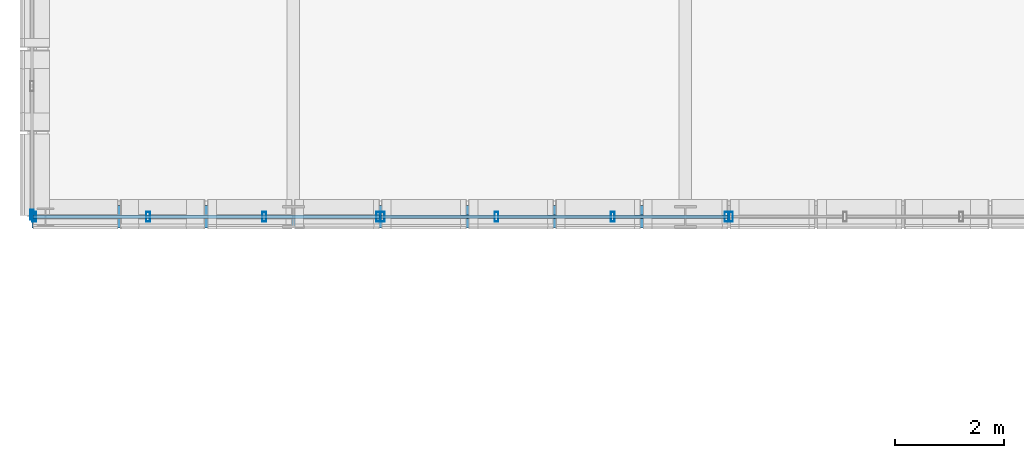
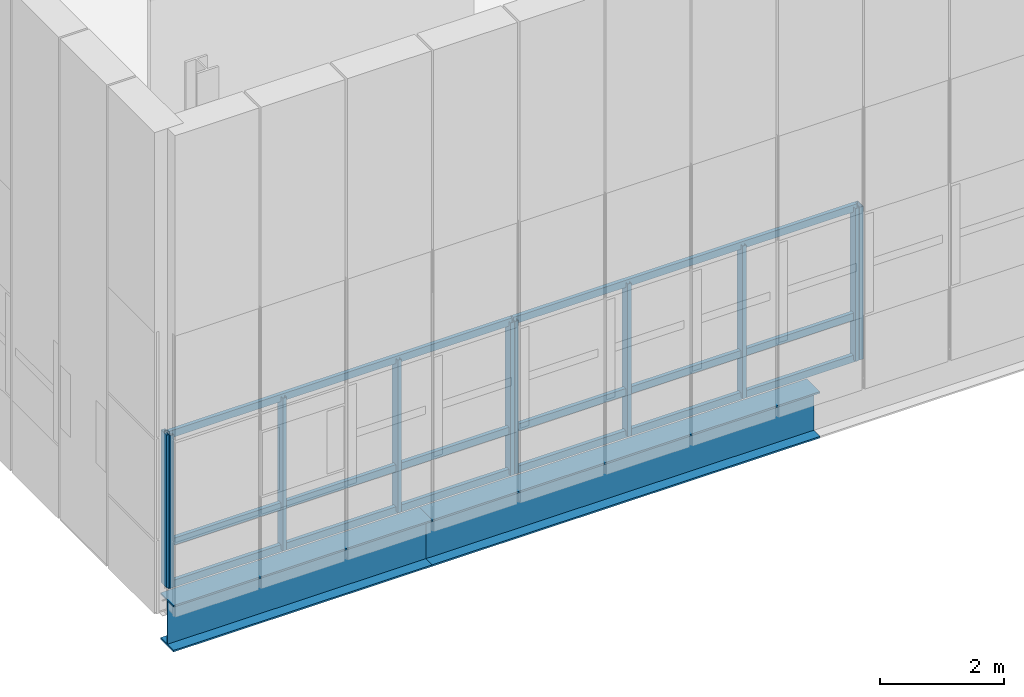
# One storey, part 10 of 144: 16 members, 2 beams, 4 elements without a shape of their own.
"""IFC4 building model written with IfcOpenShell, lengths in metres."""

from ifc_helpers import new_model, si_unit, direction, frame, origin, origin_2d, place, context, subcontext, project, spatial, hollow_rectangle, i_section, extrude, material, material_profile, profile_set, type_object, element, aggregate, save


model = new_model("IFC4")

# Units and contexts
model_context = context("Model", 3, precision=1e-05, world=origin(), true_north=direction((0.0, 1.0)))
body_context = subcontext(model_context, "Body", "Model", "MODEL_VIEW")
ifc_project = project(units=[si_unit("LENGTHUNIT", "METRE"), si_unit("AREAUNIT", "SQUARE_METRE"), si_unit("VOLUMEUNIT", "CUBIC_METRE"), si_unit("PLANEANGLEUNIT", "RADIAN"), si_unit("MASSUNIT", "GRAM", prefix="KILO")], contexts=[model_context])

# Site, building, storey
site_placement = place(None, origin())
site = spatial("IfcSite", under=ifc_project, at=site_placement, CompositionType="ELEMENT")
building_placement = place(site_placement, origin())
building = spatial("IfcBuilding", under=site, at=building_placement, Name="Yarey Park Central Fire Station", CompositionType="ELEMENT")
storey_placement = place(building_placement, frame((0.0, 0.0, 10.199951171875)))
storey = spatial("IfcBuildingStorey", under=building, at=storey_placement, Name="L03", CompositionType="ELEMENT", Elevation=10.199951171875)

# Curtain wall, members
ifc_material_1 = material(Name="Anodized Aluminium Frame", Category="aluminium")
curtain_wall_type = type_object("IfcCurtainWallType", Name="ENV_CW_V3_OVR1", PredefinedType="NOTDEFINED", material=ifc_material_1)
curtain_wall_1_placement = place(storey_placement, origin())
curtain_wall_1 = element("IfcCurtainWall", 1, at=curtain_wall_1_placement, inside=storey, type_object=curtain_wall_type, Name="CW_L03_DRUM_S_047", PredefinedType="NOTDEFINED")
ifc_material_profile_1 = material_profile(ifc_material_1, hollow_rectangle(XDim=0.070068359375, YDim=0.179931640625, WallThickness=0.00390625, at=origin_2d()), Name="ALU 180x70x4")
ifc_profile_set_1 = profile_set([ifc_material_profile_1], Name="Anodized Aluminium Frame")
member_type_1 = type_object("IfcMemberType", Name="ENV_CW_MULLION", PredefinedType="MULLION", material=ifc_profile_set_1)
member_1_placement = place(storey_placement, frame((9.639892578125, 21.60009765625, 0.0), z_axis=(0.0, 0.0, 1.0), x_axis=(1.0, 0.0, 0.0)))
member_1 = element("IfcMember", 2, at=member_1_placement, type_object=member_type_1, Name="CW_L03_DRUM_S_047_MUL1", PredefinedType="MULLION", context=body_context, shape_type="SweptSolid", body=[
    extrude(hollow_rectangle(XDim=0.070068359375, YDim=0.179931640625, WallThickness=0.00390625, at=origin_2d()), origin(), (0.0, 0.0, 1.0), 3.0),
])
member_2_placement = place(storey_placement, frame((11.7333984375, 21.60009765625, 0.0), z_axis=(0.0, 0.0, 1.0), x_axis=(1.0, 0.0, 0.0)))
member_2 = element("IfcMember", 3, at=member_2_placement, type_object=member_type_1, Name="CW_L03_DRUM_S_047_MUL2", PredefinedType="MULLION", context=body_context, shape_type="SweptSolid", body=[
    extrude(hollow_rectangle(XDim=0.070068359375, YDim=0.179931640625, WallThickness=0.00390625, at=origin_2d()), origin(), (0.0, 0.0, 1.0), 3.0),
])
member_3_placement = place(storey_placement, frame((13.86669921875, 21.60009765625, 0.0), z_axis=(0.0, 0.0, 1.0), x_axis=(1.0, 0.0, 0.0)))
member_3 = element("IfcMember", 4, at=member_3_placement, type_object=member_type_1, Name="CW_L03_DRUM_S_047_MUL3", PredefinedType="MULLION", context=body_context, shape_type="SweptSolid", body=[
    extrude(hollow_rectangle(XDim=0.070068359375, YDim=0.179931640625, WallThickness=0.00390625, at=origin_2d()), origin(), (0.0, 0.0, 1.0), 3.0),
])
member_4_placement = place(storey_placement, frame((15.9599609375, 21.60009765625, 0.0), z_axis=(0.0, 0.0, 1.0), x_axis=(1.0, 0.0, 0.0)))
member_4 = element("IfcMember", 5, at=member_4_placement, type_object=member_type_1, Name="CW_L03_DRUM_S_047_MUL4", PredefinedType="MULLION", context=body_context, shape_type="SweptSolid", body=[
    extrude(hollow_rectangle(XDim=0.070068359375, YDim=0.179931640625, WallThickness=0.00390625, at=origin_2d()), origin(), (0.0, 0.0, 1.0), 3.0),
])

curtain_wall_2_placement = place(storey_placement, origin())
curtain_wall_2 = element("IfcCurtainWall", 6, at=curtain_wall_2_placement, inside=storey, type_object=curtain_wall_type, Name="CW_L03_DRUM_S_048", PredefinedType="NOTDEFINED")
member_5_placement = place(storey_placement, frame((16.0400390625, 21.60009765625, 0.0), z_axis=(0.0, 0.0, 1.0), x_axis=(1.0, 0.0, 0.0)))
member_5 = element("IfcMember", 7, at=member_5_placement, type_object=member_type_1, Name="CW_L03_DRUM_S_048_MUL1", PredefinedType="MULLION", context=body_context, shape_type="SweptSolid", body=[
    extrude(hollow_rectangle(XDim=0.070068359375, YDim=0.179931640625, WallThickness=0.00390625, at=origin_2d()), origin(), (0.0, 0.0, 1.0), 3.0),
])
member_6_placement = place(storey_placement, frame((18.13330078125, 21.60009765625, 0.0), z_axis=(0.0, 0.0, 1.0), x_axis=(1.0, 0.0, 0.0)))
member_6 = element("IfcMember", 8, at=member_6_placement, type_object=member_type_1, Name="CW_L03_DRUM_S_048_MUL2", PredefinedType="MULLION", context=body_context, shape_type="SweptSolid", body=[
    extrude(hollow_rectangle(XDim=0.070068359375, YDim=0.179931640625, WallThickness=0.00390625, at=origin_2d()), origin(), (0.0, 0.0, 1.0), 3.0),
])
member_7_placement = place(storey_placement, frame((20.2666015625, 21.60009765625, 0.0), z_axis=(0.0, 0.0, 1.0), x_axis=(1.0, 0.0, 0.0)))
member_7 = element("IfcMember", 9, at=member_7_placement, type_object=member_type_1, Name="CW_L03_DRUM_S_048_MUL3", PredefinedType="MULLION", context=body_context, shape_type="SweptSolid", body=[
    extrude(hollow_rectangle(XDim=0.070068359375, YDim=0.179931640625, WallThickness=0.00390625, at=origin_2d()), origin(), (0.0, 0.0, 1.0), 3.0),
])
member_8_placement = place(storey_placement, frame((22.360107421875, 21.60009765625, 0.0), z_axis=(0.0, 0.0, 1.0), x_axis=(1.0, 0.0, 0.0)))
member_8 = element("IfcMember", 10, at=member_8_placement, type_object=member_type_1, Name="CW_L03_DRUM_S_048_MUL4", PredefinedType="MULLION", context=body_context, shape_type="SweptSolid", body=[
    extrude(hollow_rectangle(XDim=0.070068359375, YDim=0.179931640625, WallThickness=0.00390625, at=origin_2d()), origin(), (0.0, 0.0, 1.0), 3.0),
])

# Curtain wall, member
curtain_wall_3_placement = place(storey_placement, origin())
curtain_wall_3 = element("IfcCurtainWall", 11, at=curtain_wall_3_placement, inside=storey, type_object=curtain_wall_type, Name="CW_L03_DRUM_S_049", PredefinedType="NOTDEFINED")
member_9_placement = place(storey_placement, frame((22.43994140625, 21.60009765625, 0.0), z_axis=(0.0, 0.0, 1.0), x_axis=(1.0, 0.0, 0.0)))
member_9 = element("IfcMember", 12, at=member_9_placement, type_object=member_type_1, Name="CW_L03_DRUM_S_049_MUL1", PredefinedType="MULLION", context=body_context, shape_type="SweptSolid", body=[
    extrude(hollow_rectangle(XDim=0.070068359375, YDim=0.179931640625, WallThickness=0.00390625, at=origin_2d()), origin(), (0.0, 0.0, 1.0), 3.0),
])
aggregate(curtain_wall_3, [member_9])

curtain_wall_4_placement = place(storey_placement, origin())
curtain_wall_4 = element("IfcCurtainWall", 13, at=curtain_wall_4_placement, inside=storey, type_object=curtain_wall_type, Name="CW_L03_DRUM_W_050", PredefinedType="NOTDEFINED")
member_10_placement = place(storey_placement, frame((9.60009765625, 21.639892578125, 0.0), z_axis=(0.0, 0.0, 1.0), x_axis=(1.0, 0.0, 0.0)))
member_10 = element("IfcMember", 14, at=member_10_placement, type_object=member_type_1, Name="CW_L03_DRUM_W_050_MUL4", PredefinedType="MULLION", context=body_context, shape_type="SweptSolid", body=[
    extrude(hollow_rectangle(XDim=0.070068359375, YDim=0.179931640625, WallThickness=0.00390625, at=origin_2d()), origin(), (0.0, 0.0, 1.0), 3.0),
])
aggregate(curtain_wall_4, [member_10])

# Member
ifc_material_profile_2 = material_profile(ifc_material_1, hollow_rectangle(XDim=0.070068359375, YDim=0.139892578125, WallThickness=0.00390625, at=origin_2d()), Name="ALU 140x70x4")
ifc_profile_set_2 = profile_set([ifc_material_profile_2], Name="Anodized Aluminium Frame")
member_type_2 = type_object("IfcMemberType", Name="ENV_CW_TRANSOM", PredefinedType="USERDEFINED", material=ifc_profile_set_2)
member_11_placement = place(storey_placement, frame((9.614990234375, 21.60009765625, 0.025146484375), z_axis=(1.0, 0.0, 0.0), x_axis=(0.0, 1.0, 0.0)))
member_11 = element("IfcMember", 15, at=member_11_placement, type_object=member_type_2, Name="CW_L03_DRUM_S_047_TRN1", ObjectType="TRANSOM", PredefinedType="USERDEFINED", context=body_context, shape_type="SweptSolid", body=[
    extrude(hollow_rectangle(XDim=0.070068359375, YDim=0.139892578125, WallThickness=0.00390625, at=origin_2d()), origin(), (0.0, 0.0, 1.0), 6.3701171875),
])

member_12_placement = place(storey_placement, frame((9.614990234375, 21.60009765625, 0.85009765625), z_axis=(1.0, 0.0, 0.0), x_axis=(0.0, 1.0, 0.0)))
member_12 = element("IfcMember", 16, at=member_12_placement, type_object=member_type_2, Name="CW_L03_DRUM_S_047_TRN2", ObjectType="TRANSOM", PredefinedType="USERDEFINED", context=body_context, shape_type="SweptSolid", body=[
    extrude(hollow_rectangle(XDim=0.070068359375, YDim=0.139892578125, WallThickness=0.00390625, at=origin_2d()), origin(), (0.0, 0.0, 1.0), 6.3701171875),
])

member_13_placement = place(storey_placement, frame((9.614990234375, 21.60009765625, 2.97509765625), z_axis=(1.0, 0.0, 0.0), x_axis=(0.0, 1.0, 0.0)))
member_13 = element("IfcMember", 17, at=member_13_placement, type_object=member_type_2, Name="CW_L03_DRUM_S_047_TRN3", ObjectType="TRANSOM", PredefinedType="USERDEFINED", context=body_context, shape_type="SweptSolid", body=[
    extrude(hollow_rectangle(XDim=0.070068359375, YDim=0.139892578125, WallThickness=0.00390625, at=origin_2d()), origin(), (0.0, 0.0, 1.0), 6.3701171875),
])

aggregate(curtain_wall_1, [member_1, member_2, member_3, member_4, member_11, member_12, member_13])

member_14_placement = place(storey_placement, frame((16.014892578125, 21.60009765625, 0.025146484375), z_axis=(1.0, 0.0, 0.0), x_axis=(0.0, 1.0, 0.0)))
member_14 = element("IfcMember", 18, at=member_14_placement, type_object=member_type_2, Name="CW_L03_DRUM_S_048_TRN1", ObjectType="TRANSOM", PredefinedType="USERDEFINED", context=body_context, shape_type="SweptSolid", body=[
    extrude(hollow_rectangle(XDim=0.070068359375, YDim=0.139892578125, WallThickness=0.00390625, at=origin_2d()), origin(), (0.0, 0.0, 1.0), 6.3701171875),
])

member_15_placement = place(storey_placement, frame((16.014892578125, 21.60009765625, 0.85009765625), z_axis=(1.0, 0.0, 0.0), x_axis=(0.0, 1.0, 0.0)))
member_15 = element("IfcMember", 19, at=member_15_placement, type_object=member_type_2, Name="CW_L03_DRUM_S_048_TRN2", ObjectType="TRANSOM", PredefinedType="USERDEFINED", context=body_context, shape_type="SweptSolid", body=[
    extrude(hollow_rectangle(XDim=0.070068359375, YDim=0.139892578125, WallThickness=0.00390625, at=origin_2d()), origin(), (0.0, 0.0, 1.0), 6.3701171875),
])

member_16_placement = place(storey_placement, frame((16.014892578125, 21.60009765625, 2.97509765625), z_axis=(1.0, 0.0, 0.0), x_axis=(0.0, 1.0, 0.0)))
member_16 = element("IfcMember", 20, at=member_16_placement, type_object=member_type_2, Name="CW_L03_DRUM_S_048_TRN3", ObjectType="TRANSOM", PredefinedType="USERDEFINED", context=body_context, shape_type="SweptSolid", body=[
    extrude(hollow_rectangle(XDim=0.070068359375, YDim=0.139892578125, WallThickness=0.00390625, at=origin_2d()), origin(), (0.0, 0.0, 1.0), 6.3701171875),
])

aggregate(curtain_wall_2, [member_5, member_6, member_7, member_8, member_14, member_15, member_16])

# Beams
ifc_material_2 = material(Name="Steel ASTM A992 Gr. 50", Category="steel")
ifc_material_profile_3 = material_profile(ifc_material_2, i_section(OverallWidth=0.41796875, OverallDepth=0.912109375, WebThickness=0.019287109375, FlangeThickness=0.031982421875, at=origin_2d()), Name="W920x342")
ifc_profile_set_3 = profile_set([ifc_material_profile_3], Name="Steel ASTM A992 Gr. 50")
beam_type_1 = type_object("IfcBeamType", Name="STR_BM_W920", PredefinedType="BEAM", material=ifc_profile_set_3)
beam_1_placement = place(storey_placement, frame((14.39990234375, 21.60009765625, -0.716064453125), z_axis=(1.0, 0.0, 0.0), x_axis=(0.0, 1.0, 0.0)))
element("IfcBeam", 21, at=beam_1_placement, inside=storey, type_object=beam_type_1, Name="DRUM GIRD1 L03 Y216", PredefinedType="BEAM", context=body_context, shape_type="SweptSolid", body=[
    extrude(i_section(OverallWidth=0.41796875, OverallDepth=0.912109375, WebThickness=0.019287109375, FlangeThickness=0.031982421875, at=origin_2d()), origin(), (0.0, 0.0, 1.0), 7.2001953125),
])
ifc_material_profile_4 = material_profile(ifc_material_2, i_section(OverallWidth=0.41796875, OverallDepth=0.912109375, WebThickness=0.019287109375, FlangeThickness=0.031982421875, at=origin_2d()), Name="W920x342")
ifc_profile_set_4 = profile_set([ifc_material_profile_4], Name="Steel ASTM A992 Gr. 50")
beam_type_2 = type_object("IfcBeamType", Name="STR_BM_W920E", PredefinedType="BEAM", material=ifc_profile_set_4)
beam_2_placement = place(storey_placement, frame((9.60009765625, 21.60009765625, -0.716064453125), z_axis=(1.0, 0.0, 0.0), x_axis=(0.0, 1.0, 0.0)))
element("IfcBeam", 22, at=beam_2_placement, inside=storey, type_object=beam_type_2, Name="DRUM CANT L03 Y216", PredefinedType="BEAM", context=body_context, shape_type="SweptSolid", body=[
    extrude(i_section(OverallWidth=0.41796875, OverallDepth=0.912109375, WebThickness=0.019287109375, FlangeThickness=0.031982421875, at=origin_2d()), origin(), (0.0, 0.0, 1.0), 4.7998046875),
])

save(model, "model.ifc")
